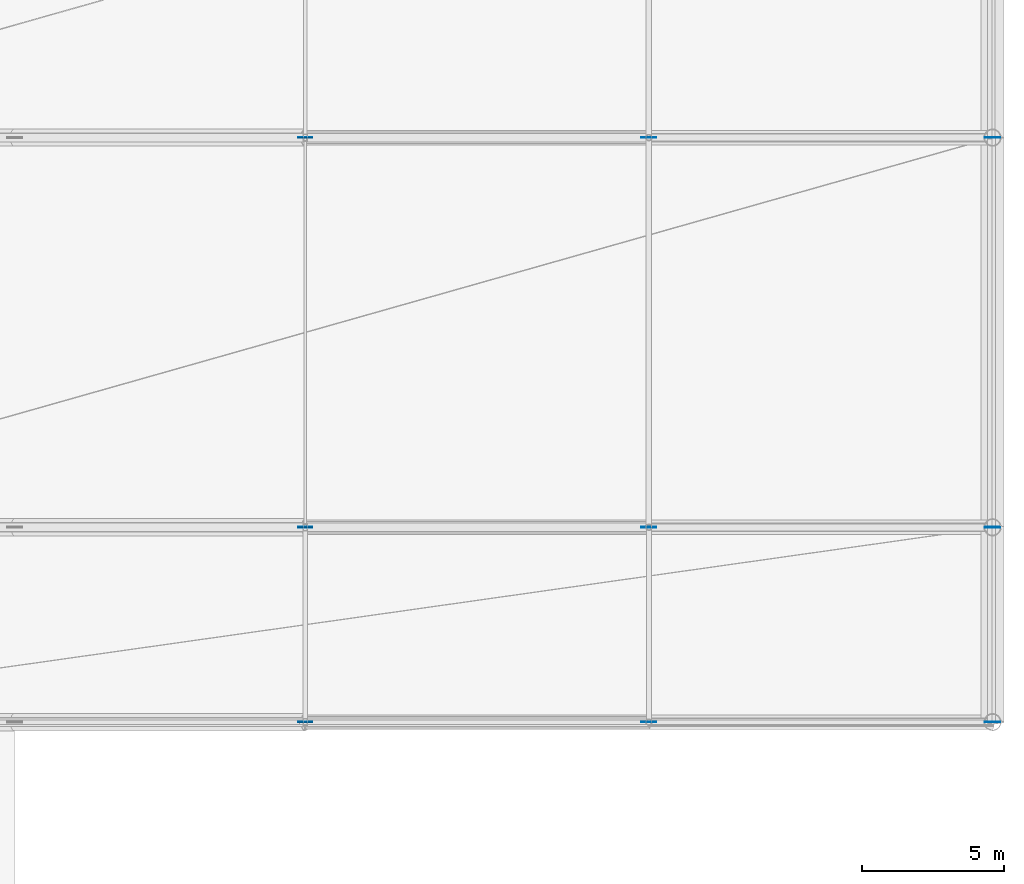
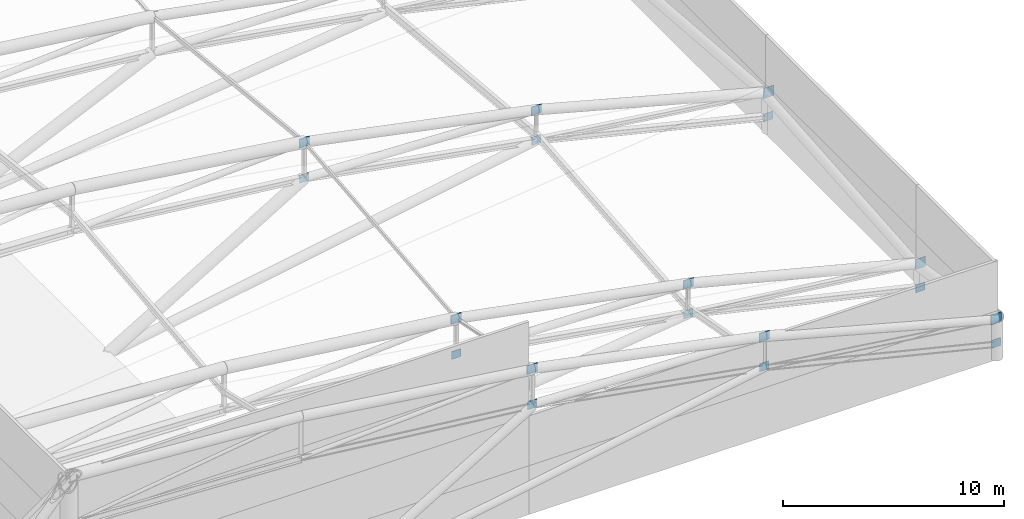
# One storey, part 32 of 36: 18 plates.
"""IFC4 building model written with IfcOpenShell, lengths in metres."""

from ifc_helpers import new_model, si_unit, direction, frame, origin, origin_2d, place, context, subcontext, project, spatial, rectangle, extrude, material, layer, layer_set, type_object, element, save


model = new_model("IFC4")

# Units and contexts
model_context = context("Model", 3, precision=1e-05, world=origin(), true_north=direction((0.0, 1.0)))
body_context = subcontext(model_context, "Body", "Model", "MODEL_VIEW")
ifc_project = project(units=[si_unit("LENGTHUNIT", "METRE"), si_unit("AREAUNIT", "SQUARE_METRE"), si_unit("VOLUMEUNIT", "CUBIC_METRE"), si_unit("PLANEANGLEUNIT", "RADIAN"), si_unit("MASSUNIT", "GRAM", prefix="KILO")], contexts=[model_context])

# Site, building, storey
site_placement = place(None, origin())
site = spatial("IfcSite", under=ifc_project, at=site_placement, CompositionType="ELEMENT")
building_placement = place(site_placement, origin())
building = spatial("IfcBuilding", under=site, at=building_placement, Name="Linyun Crest Stadium", CompositionType="ELEMENT")
storey_placement = place(building_placement, frame((0.0, 0.0, 31.60009765625)))
storey = spatial("IfcBuildingStorey", under=building, at=storey_placement, Name="RF", CompositionType="ELEMENT", Elevation=31.60009765625)

# Plates
ifc_material_1 = material(Name="Steel Q355C", Category="steel")
ifc_layer_1 = layer(ifc_material_1, 0.02001953125)
ifc_layer_set_1 = layer_set([ifc_layer_1], Name="Steel Q355C")
plate_type_1 = type_object("IfcPlateType", Name="EP01", PredefinedType="USERDEFINED", material=ifc_layer_set_1)
for number, where, z_axis, x_axis, name in (
    (1, (-35.5, -46.0, 1.872802734375), (0.0, 0.0, 1.0), (1.0, 0.0, 0.0), "Canopy tip tube end plate EP01 6"),
    (2, (-35.5, -39.125, 0.767822265625), (0.0, 0.0, 1.0), (1.0, 0.0, 0.0), "Canopy tip tube end plate EP01 19"),
    (3, (-35.5, -25.375, 1.872802734375), (0.0, 0.0, 1.0), (1.0, 0.0, 0.0), "Canopy tip tube end plate EP01 32"),
):
    element("IfcPlate", number, at=place(storey_placement, frame(where, z_axis=z_axis, x_axis=x_axis)), inside=storey, type_object=plate_type_1, Name=name, ObjectType="END PLATE", PredefinedType="USERDEFINED", context=body_context, shape_type="SweptSolid", body=[
        extrude(rectangle(XDim=0.56005859375, YDim=0.02001953125, at=origin_2d()), origin(), (0.0, 0.0, 1.0), 0.56005859375),
    ])
ifc_material_2 = material(Name="Steel Q355C", Category="steel")
ifc_layer_2 = layer(ifc_material_2, 0.02392578125)
ifc_layer_set_2 = layer_set([ifc_layer_2], Name="Steel Q355C")
plate_type_2 = type_object("IfcPlateType", Name="NP01", PredefinedType="USERDEFINED", material=ifc_layer_set_2)
plate_1_placement = place(storey_placement, frame((-47.625, -46.0, 5.1748046875), z_axis=(0.0, 0.0, 1.0), x_axis=(1.0, 0.0, 0.0)))
element("IfcPlate", 4, at=plate_1_placement, inside=storey, type_object=plate_type_2, Name="Roof truss node gusset plate NP01 5", ObjectType="GUSSET PLATE", PredefinedType="USERDEFINED", context=body_context, shape_type="SweptSolid", body=[
    extrude(rectangle(XDim=0.5400390625, YDim=0.02392578125, at=origin_2d()), origin(), (0.0, 0.0, 1.0), 0.47998046875),
])
for number, where, z_axis, x_axis, name in (
    (5, (-59.75, -46.0, 5.679931640625), (0.0, 0.0, 1.0), (1.0, 0.0, 0.0), "Roof bottom-chord node gusset plate NP01 10"),
    (6, (-47.625, -46.0, 3.531005859375), (0.0, 0.0, 1.0), (1.0, 0.0, 0.0), "Roof bottom-chord node gusset plate NP01 11"),
    (7, (-35.5, -46.0, 0.580810546875), (0.0, 0.0, 1.0), (1.0, 0.0, 0.0), "Roof bottom-chord node gusset plate NP01 12"),
):
    element("IfcPlate", number, at=place(storey_placement, frame(where, z_axis=z_axis, x_axis=x_axis)), inside=storey, type_object=plate_type_2, Name=name, ObjectType="GUSSET PLATE", PredefinedType="USERDEFINED", context=body_context, shape_type="SweptSolid", body=[
        extrude(rectangle(XDim=0.47998046875, YDim=0.02392578125, at=origin_2d()), origin(), (0.0, 0.0, 1.0), 0.43994140625),
    ])
plate_2_placement = place(storey_placement, frame((-47.625, -39.125, 3.9208984375), z_axis=(0.0, 0.0, 1.0), x_axis=(1.0, 0.0, 0.0)))
element("IfcPlate", 8, at=plate_2_placement, inside=storey, type_object=plate_type_2, Name="Roof truss node gusset plate NP01 18", ObjectType="GUSSET PLATE", PredefinedType="USERDEFINED", context=body_context, shape_type="SweptSolid", body=[
    extrude(rectangle(XDim=0.5400390625, YDim=0.02392578125, at=origin_2d()), origin(), (0.0, 0.0, 1.0), 0.47998046875),
])
for number, where, z_axis, x_axis, name in (
    (9, (-59.75, -39.125, 4.27783203125), (0.0, 0.0, 1.0), (1.0, 0.0, 0.0), "Roof bottom-chord node gusset plate NP01 23"),
    (10, (-47.625, -39.125, 2.27685546875), (0.0, 0.0, 1.0), (1.0, 0.0, 0.0), "Roof bottom-chord node gusset plate NP01 24"),
    (11, (-35.5, -39.125, -0.524169921875), (0.0, 0.0, 1.0), (1.0, 0.0, 0.0), "Roof bottom-chord node gusset plate NP01 25"),
):
    element("IfcPlate", number, at=place(storey_placement, frame(where, z_axis=z_axis, x_axis=x_axis)), inside=storey, type_object=plate_type_2, Name=name, ObjectType="GUSSET PLATE", PredefinedType="USERDEFINED", context=body_context, shape_type="SweptSolid", body=[
        extrude(rectangle(XDim=0.47998046875, YDim=0.02392578125, at=origin_2d()), origin(), (0.0, 0.0, 1.0), 0.43994140625),
    ])
plate_3_placement = place(storey_placement, frame((-47.625, -25.375, 5.1748046875), z_axis=(0.0, 0.0, 1.0), x_axis=(1.0, 0.0, 0.0)))
element("IfcPlate", 12, at=plate_3_placement, inside=storey, type_object=plate_type_2, Name="Roof truss node gusset plate NP01 31", ObjectType="GUSSET PLATE", PredefinedType="USERDEFINED", context=body_context, shape_type="SweptSolid", body=[
    extrude(rectangle(XDim=0.5400390625, YDim=0.02392578125, at=origin_2d()), origin(), (0.0, 0.0, 1.0), 0.47998046875),
])
for number, where, z_axis, x_axis, name in (
    (13, (-59.75, -25.375, 5.679931640625), (0.0, 0.0, 1.0), (1.0, 0.0, 0.0), "Roof bottom-chord node gusset plate NP01 36"),
    (14, (-47.625, -25.375, 3.531005859375), (0.0, 0.0, 1.0), (1.0, 0.0, 0.0), "Roof bottom-chord node gusset plate NP01 37"),
    (15, (-35.5, -25.375, 0.580810546875), (0.0, 0.0, 1.0), (1.0, 0.0, 0.0), "Roof bottom-chord node gusset plate NP01 38"),
):
    element("IfcPlate", number, at=place(storey_placement, frame(where, z_axis=z_axis, x_axis=x_axis)), inside=storey, type_object=plate_type_2, Name=name, ObjectType="GUSSET PLATE", PredefinedType="USERDEFINED", context=body_context, shape_type="SweptSolid", body=[
        extrude(rectangle(XDim=0.47998046875, YDim=0.02392578125, at=origin_2d()), origin(), (0.0, 0.0, 1.0), 0.43994140625),
    ])
ifc_material_3 = material(Name="Steel Q420C", Category="steel")
ifc_layer_3 = layer(ifc_material_3, 0.035888671875)
ifc_layer_set_3 = layer_set([ifc_layer_3], Name="Steel Q420C")
plate_type_3 = type_object("IfcPlateType", Name="NP04", PredefinedType="USERDEFINED", material=ifc_layer_set_3)
for number, where, z_axis, x_axis, name in (
    (16, (-59.75, -46.0, 7.635986328125), (0.0, 0.0, 1.0), (1.0, 0.0, 0.0), "Roof truss node gusset plate NP04 4"),
    (17, (-59.75, -39.125, 6.23388671875), (0.0, 0.0, 1.0), (1.0, 0.0, 0.0), "Roof truss node gusset plate NP04 17"),
    (18, (-59.75, -25.375, 7.635986328125), (0.0, 0.0, 1.0), (1.0, 0.0, 0.0), "Roof truss node gusset plate NP04 30"),
):
    element("IfcPlate", number, at=place(storey_placement, frame(where, z_axis=z_axis, x_axis=x_axis)), inside=storey, type_object=plate_type_3, Name=name, ObjectType="GUSSET PLATE", PredefinedType="USERDEFINED", context=body_context, shape_type="SweptSolid", body=[
        extrude(rectangle(XDim=0.5400390625, YDim=0.035888671875, at=origin_2d()), origin(), (0.0, 0.0, 1.0), 0.47998046875),
    ])

save(model, "model.ifc")
